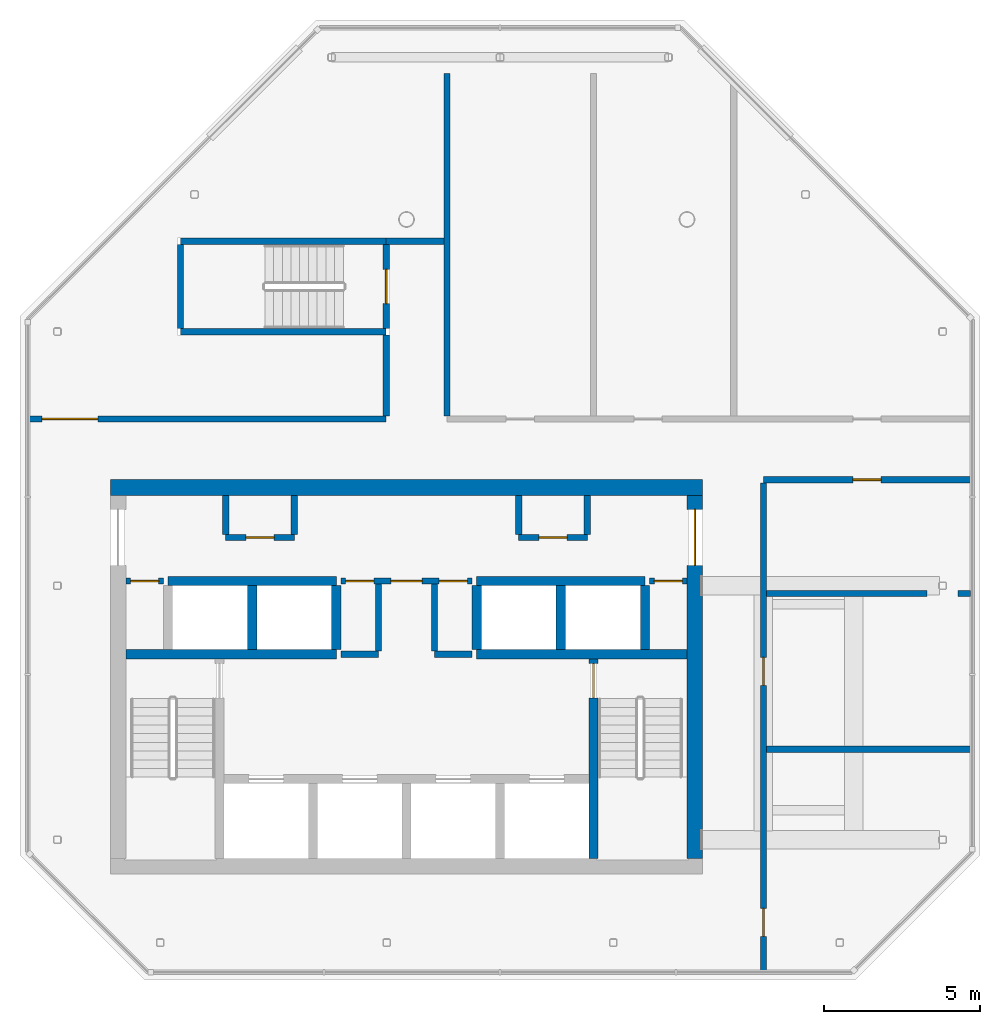
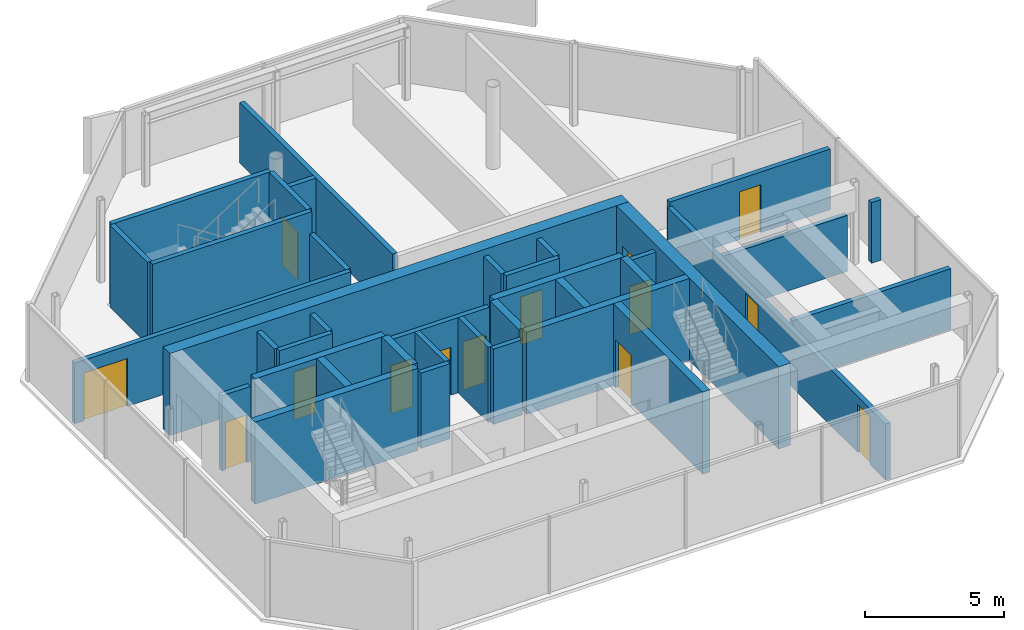
# One storey, part 5 of 7: 38 walls, 14 doors, 14 openings.
"""IFC4 building model written with IfcOpenShell, lengths in metres."""

import ifcopenshell
import ifcopenshell.guid

model = None  # the IFC model being written
_history = None  # IfcOwnerHistory: only IFC2X3 demands one
_inside = {}  # id of a spatial element -> (the spatial element, [elements in it])
_under = {}  # id of a project, library or spatial element -> (it, [spatial elements below it])
_declared = {}  # id of a project -> (the project, [libraries it declares])
_typed = {}  # id of a type object -> (the type object, [elements of that type])
_made_of = {}  # id of a material, layer set ... -> (it, [elements and type objects made of it])


def new_model(schema):
    """Start an empty IFC model of exactly this schema.

    Asked for "IFC4X3", IfcOpenShell would pick the latest addendum, in which some entities
    have other attributes; the version numbers below select the first issue.
    IFC2X3 requires an IfcOwnerHistory on every rooted entity: one is made here for all.
    """
    global model, _history
    if schema == "IFC4X3":
        model = ifcopenshell.file(schema_version=(4, 3, 0, 0))
    else:
        model = ifcopenshell.file(schema=schema)
    _inside.clear()
    _under.clear()
    _declared.clear()
    _typed.clear()
    _made_of.clear()
    _history = None
    if model.schema == "IFC2X3":
        org = make("IfcOrganization", Name="unknown")
        user = make(
            "IfcPersonAndOrganization",
            ThePerson=make("IfcPerson", FamilyName="unknown"),
            TheOrganization=org,
        )
        app = make(
            "IfcApplication",
            ApplicationDeveloper=org,
            Version="unknown",
            ApplicationFullName="unknown",
            ApplicationIdentifier="unknown",
        )
        _history = make(
            "IfcOwnerHistory",
            OwningUser=user,
            OwningApplication=app,
            ChangeAction="ADDED",
            CreationDate=0,
        )
    return model


def make(cls, **values):
    """One entity of the class cls with the attributes given. An attribute that is None is left unset."""
    return model.create_entity(
        cls, **{name: value for name, value in values.items() if value is not None}
    )


def rooted(cls, **values):
    """An entity with a GlobalId (a new one), such as an element, a storey or a relation."""
    return make(cls, GlobalId=ifcopenshell.guid.new(), OwnerHistory=_history, **values)


def si_unit(unit_type, name, prefix=None):
    """IfcSIUnit, for example si_unit("LENGTHUNIT", "METRE", prefix="MILLI")."""
    return make("IfcSIUnit", UnitType=unit_type, Prefix=prefix, Name=name)


def assignment(units):
    """IfcUnitAssignment: the units of a project."""
    return None if units is None else make("IfcUnitAssignment", Units=units)


def point(xyz):
    """IfcCartesianPoint."""
    return None if xyz is None else make("IfcCartesianPoint", Coordinates=xyz)


def direction(xyz):
    """IfcDirection."""
    return None if xyz is None else make("IfcDirection", DirectionRatios=xyz)


def frame(location, z_axis=None, x_axis=None):
    """IfcAxis2Placement3D, a coordinate frame: its origin and axes. An axis left out is left unset."""
    return make(
        "IfcAxis2Placement3D",
        Location=point(location),
        Axis=direction(z_axis),
        RefDirection=direction(x_axis),
    )


def frame_2d(location, x_axis=None):
    """IfcAxis2Placement2D, a coordinate frame in the plane: its origin and x axis."""
    return make(
        "IfcAxis2Placement2D", Location=point(location), RefDirection=direction(x_axis)
    )


def origin():
    """The frame at (0, 0, 0) with its axes left unset."""
    return frame((0.0, 0.0, 0.0))


def place(relative_to, where):
    """IfcLocalPlacement: puts the frame where relative to a parent placement (None: the world)."""
    return make(
        "IfcLocalPlacement", PlacementRelTo=relative_to, RelativePlacement=where
    )


def context(
    kind, dimensions, precision=None, world=None, true_north=None, identifier=None
):
    """IfcGeometricRepresentationContext, for example the 3D "Model" context."""
    return make(
        "IfcGeometricRepresentationContext",
        ContextIdentifier=identifier,
        ContextType=kind,
        CoordinateSpaceDimension=dimensions,
        Precision=precision,
        WorldCoordinateSystem=world,
        TrueNorth=true_north,
    )


def subcontext(parent, identifier, kind, view, scale=None):
    """IfcGeometricRepresentationSubContext, for example "Body" below "Model"."""
    return make(
        "IfcGeometricRepresentationSubContext",
        ContextIdentifier=identifier,
        ContextType=kind,
        ParentContext=parent,
        TargetScale=scale,
        TargetView=view,
    )


def project(units=None, contexts=None):
    """IfcProject with its units and contexts."""
    return rooted(
        "IfcProject",
        Name="project",
        RepresentationContexts=contexts,
        UnitsInContext=assignment(units),
    )


def spatial(cls, under=None, at=None, **own):
    """A site, building, storey or space (cls), placed at a placement, below another one or the project."""
    s = rooted(cls, ObjectPlacement=at, **own)
    if under is not None:
        _under.setdefault(under.id(), (under, []))[1].append(s)
    return s


def polyline(points):
    """IfcPolyline through the points."""
    return make("IfcPolyline", Points=[point(p) for p in points])


def profile(cls, at=None, kind="AREA", **sizes):
    """A parametric profile (cls). Its sizes go by their IFC names, for example OverallWidth=200.0."""
    return make(cls, ProfileType=kind, Position=at, **sizes)


def rectangle(**sizes):
    """IfcRectangleProfileDef."""
    return profile("IfcRectangleProfileDef", **sizes)


def outline(outer, holes=None, kind="AREA"):
    """IfcArbitraryClosedProfileDef: a profile drawn as a closed curve; with holes, ...WithVoids."""
    if holes is None:
        return make("IfcArbitraryClosedProfileDef", ProfileType=kind, OuterCurve=outer)
    return make(
        "IfcArbitraryProfileDefWithVoids",
        ProfileType=kind,
        OuterCurve=outer,
        InnerCurves=holes,
    )


def extrude(swept, where, along, depth):
    """IfcExtrudedAreaSolid: the profile swept, set in the frame where, extruded along a direction by depth."""
    return make(
        "IfcExtrudedAreaSolid",
        SweptArea=swept,
        Position=where,
        ExtrudedDirection=direction(along),
        Depth=depth,
    )


def shape(context_of_items, identifier, shape_type, items):
    """IfcShapeRepresentation: the items that make up one representation, for example the "Body"."""
    return make(
        "IfcShapeRepresentation",
        ContextOfItems=context_of_items,
        RepresentationIdentifier=identifier,
        RepresentationType=shape_type,
        Items=items,
    )


def material(Name=None, Category=None):
    """IfcMaterial."""
    return make("IfcMaterial", Name=Name, Category=Category)


def layer(
    of_material, thickness, ventilated=None, Name=None, Category=None, Priority=None
):
    """IfcMaterialLayer: one layer of a wall or slab, of a material (None: an air gap)."""
    return make(
        "IfcMaterialLayer",
        Material=of_material,
        LayerThickness=thickness,
        IsVentilated=ventilated,
        Name=Name,
        Category=Category,
        Priority=Priority,
    )


def layer_set(layers, Name=None):
    """IfcMaterialLayerSet."""
    return make("IfcMaterialLayerSet", MaterialLayers=layers, LayerSetName=Name)


def made_of(thing, what):
    """Note that an element or type object is made of a material, layer set ...; save() writes the relation."""
    if what is not None:
        _made_of.setdefault(what.id(), (what, []))[1].append(thing)
    return thing


def type_object(cls, material=None, **own):
    """A type object (cls), such as IfcWallType, which elements share."""
    return made_of(rooted(cls, **own), material)


def element(
    cls,
    number,
    at=None,
    inside=None,
    cuts=None,
    type_object=None,
    material=None,
    context=None,
    identifier="Body",
    shape_type=None,
    held_by="IfcProductDefinitionShape",
    body=None,
    shapes=None,
    **own,
):
    """One element of the class cls, such as IfcWall. Its Tag is "e" and its number.

    at: its placement. inside: the storey or other place that contains it. cuts: it is an
    opening in that element (IfcRelVoidsElement). A single representation is given by context,
    identifier, shape_type and body (its items); several are given by shapes. held_by: the class
    of the entity that holds the representations. save() writes the other relations.
    """
    e = rooted(cls, Tag="e%d" % number, ObjectPlacement=at, **own)
    if body is not None:
        shapes = [shape(context, identifier, shape_type, body)]
    if shapes is not None:
        e.Representation = make(held_by, Representations=shapes)
    if inside is not None:
        _inside.setdefault(inside.id(), (inside, []))[1].append(e)
    if cuts is not None:
        rooted(
            "IfcRelVoidsElement", RelatingBuildingElement=cuts, RelatedOpeningElement=e
        )
    if type_object is not None:
        _typed.setdefault(type_object.id(), (type_object, []))[1].append(e)
    return made_of(e, material)


def fill(opening, filler):
    """IfcRelFillsElement: the door or window that sits in an opening."""
    return rooted(
        "IfcRelFillsElement",
        RelatingOpeningElement=opening,
        RelatedBuildingElement=filler,
    )


def aggregate(whole, parts):
    """IfcRelAggregates: a whole, such as a stair, and the parts it consists of."""
    return rooted("IfcRelAggregates", RelatingObject=whole, RelatedObjects=parts)


def save(model, path):
    """Write the relations noted so far, then the file.

    IfcRelAggregates (storeys below a building ...), IfcRelContainedInSpatialStructure (elements
    in a storey), IfcRelDefinesByType, IfcRelAssociatesMaterial and IfcRelDeclares: one each for
    every whole, place, type object, material and project.
    """
    for whole, parts in _under.values():
        aggregate(whole, parts)
    for where, things in _inside.values():
        rooted(
            "IfcRelContainedInSpatialStructure",
            RelatedElements=things,
            RelatingStructure=where,
        )
    for kind, things in _typed.values():
        rooted("IfcRelDefinesByType", RelatedObjects=things, RelatingType=kind)
    for what, things in _made_of.values():
        rooted("IfcRelAssociatesMaterial", RelatedObjects=things, RelatingMaterial=what)
    for by, libraries in _declared.values():
        rooted("IfcRelDeclares", RelatingContext=by, RelatedDefinitions=libraries)
    model.write(path)


model = new_model("IFC4")

# Units and contexts
model_context = context("Model", 3, precision=1e-05, world=origin(), true_north=direction((0.0, 1.0)))
body_context = subcontext(model_context, "Body", "Model", "MODEL_VIEW")
ifc_project = project(units=[si_unit("LENGTHUNIT", "METRE"), si_unit("AREAUNIT", "SQUARE_METRE"), si_unit("VOLUMEUNIT", "CUBIC_METRE"), si_unit("PLANEANGLEUNIT", "RADIAN"), si_unit("MASSUNIT", "GRAM", prefix="KILO")], contexts=[model_context])

# Site, building, storey
site_placement = place(None, origin())
site = spatial("IfcSite", under=ifc_project, at=site_placement, CompositionType="ELEMENT")
building_placement = place(site_placement, origin())
building = spatial("IfcBuilding", under=site, at=building_placement, Name="Tskaro Facet Tower", CompositionType="ELEMENT")
storey_placement = place(building_placement, frame((0.0, 0.0, 297.300048828125)))
storey = spatial("IfcBuildingStorey", under=building, at=storey_placement, Name="L80", CompositionType="ELEMENT", Elevation=297.300048828125)

# Walls
ifc_material_1 = material(Name="Concrete C60/75", Category="concrete")
ifc_layer_1 = layer(ifc_material_1, 0.300048828125, Name="Concrete C60/75")
ifc_layer_set_1 = layer_set([ifc_layer_1], Name="Concrete C60/75")
wall_type_1 = type_object("IfcWallType", Name="CORE-SHAFT", PredefinedType="SHEAR", material=ifc_layer_set_1)
for number, where, z_axis, x_axis, name in (
    (1, (-9.0, -4.949951171875, 0.0), (0.0, 0.0, 1.0), (1.0, 0.0, 0.0), "Shaft wall W003"),
    (2, (2.25, -4.949951171875, 0.0), (0.0, 0.0, 1.0), (1.0, 0.0, 0.0), "Shaft wall W006"),
):
    element("IfcWall", number, at=place(storey_placement, frame(where, z_axis=z_axis, x_axis=x_axis)), inside=storey, type_object=wall_type_1, Name=name, PredefinedType="SHEAR", context=body_context, shape_type="SweptSolid", body=[
        extrude(rectangle(XDim=6.75, YDim=0.300048828125, at=frame_2d((3.375, 0.0))), origin(), (0.0, 0.0, 1.0), 3.599853515625),
    ])
for number, where, z_axis, x_axis, name in (
    (3, (-7.64990234375, -2.60009765625, 0.0), (0.0, 0.0, 1.0), (1.0, 0.0, 0.0), "Shaft wall W010"),
    (4, (2.25, -2.60009765625, 0.0), (0.0, 0.0, 1.0), (1.0, 0.0, 0.0), "Shaft wall W012"),
):
    element("IfcWall", number, at=place(storey_placement, frame(where, z_axis=z_axis, x_axis=x_axis)), inside=storey, type_object=wall_type_1, Name=name, PredefinedType="SHEAR", context=body_context, shape_type="SweptSolid", body=[
        extrude(rectangle(XDim=5.39990234375, YDim=0.300048828125, at=frame_2d((2.699951171875, 0.0))), origin(), (0.0, 0.0, 1.0), 3.599853515625),
    ])
for number, where, z_axis, x_axis, name in (
    (5, (-4.949951171875, -4.800048828125, 0.0), (0.0, 0.0, 1.0), (0.0, 1.0, 0.0), "Shaft wall W026"),
    (6, (-2.25, -4.800048828125, 0.0), (0.0, 0.0, 1.0), (0.0, 1.0, 0.0), "Shaft wall W029"),
    (7, (2.25, -4.800048828125, 0.0), (0.0, 0.0, 1.0), (0.0, 1.0, 0.0), "Shaft wall W036"),
    (8, (4.949951171875, -4.800048828125, 0.0), (0.0, 0.0, 1.0), (0.0, 1.0, 0.0), "Shaft wall W039"),
):
    element("IfcWall", number, at=place(storey_placement, frame(where, z_axis=z_axis, x_axis=x_axis)), inside=storey, type_object=wall_type_1, Name=name, PredefinedType="SHEAR", context=body_context, shape_type="SweptSolid", body=[
        extrude(rectangle(XDim=2.050048828125, YDim=0.300048828125, at=frame_2d((1.02490234375, 0.0))), origin(), (0.0, 0.0, 1.0), 3.599853515625),
    ])

# Wall, opening, door
wall_1_placement = place(storey_placement, frame((6.0, -5.10009765625, 0.0), z_axis=(0.0, 0.0, 1.0), x_axis=(0.0, -1.0, 0.0)))
wall_1 = element("IfcWall", 9, at=wall_1_placement, inside=storey, type_object=wall_type_1, Name="Shaft wall W041", PredefinedType="SHEAR", context=body_context, shape_type="SweptSolid", body=[
    extrude(rectangle(XDim=6.39990234375, YDim=0.300048828125, at=frame_2d((3.199951171875, 0.0))), origin(), (0.0, 0.0, 1.0), 3.599853515625),
])
opening_1_placement = place(wall_1_placement, frame((0.14990234375, 0.0, 0.0)))
opening_1 = element("IfcOpeningElement", 10, at=opening_1_placement, cuts=wall_1, Name="Opening ST-2-D1", PredefinedType="OPENING", context=body_context, shape_type="SweptSolid", body=[
    extrude(rectangle(XDim=1.10009765625, YDim=2.10009765625, at=frame_2d((0.550048828125, 1.050048828125))), frame((0.0, 0.159912109375, 0.0), z_axis=(0.0, -1.0, 0.0), x_axis=(1.0, 0.0, 0.0)), (0.0, 0.0, 1.0), 0.320068359375),
])
ifc_material_2 = material(Name="Steel", Category="steel")
door_type_1 = type_object("IfcDoorType", Name="D-STAIR", OperationType="NOTDEFINED", PredefinedType="DOOR", material=ifc_material_2)
door_1_placement = place(opening_1_placement, origin())
door_1 = element("IfcDoor", 11, at=door_1_placement, inside=storey, type_object=door_type_1, Name="Stair door 2", OperationType="SINGLE_SWING_RIGHT", OverallHeight=2.10009765625, OverallWidth=1.10009765625, PredefinedType="DOOR", context=body_context, shape_type="SweptSolid", body=[
    extrude(rectangle(XDim=1.10009765625, YDim=2.10009765625, at=frame_2d((0.550048828125, 1.050048828125))), frame((0.0, 0.02490234375, 0.0), z_axis=(0.0, -1.0, 0.0), x_axis=(1.0, 0.0, 0.0)), (0.0, 0.0, 1.0), 0.050048828125),
])
fill(opening_1, door_1)

# Walls
wall_2_placement = place(storey_placement, frame((7.64990234375, -4.800048828125, 0.0), z_axis=(0.0, 0.0, 1.0), x_axis=(0.0, 1.0, 0.0)))
element("IfcWall", 12, at=wall_2_placement, inside=storey, type_object=wall_type_1, Name="Shaft wall W043", PredefinedType="SHEAR", context=body_context, shape_type="SweptSolid", body=[
    extrude(rectangle(XDim=2.050048828125, YDim=0.300048828125, at=frame_2d((1.02490234375, 0.0))), origin(), (0.0, 0.0, 1.0), 3.599853515625),
])
ifc_material_3 = material(Name="Concrete C20/25", Category="concrete")
ifc_layer_2 = layer(ifc_material_3, 0.199951171875, Name="Concrete C20/25")
ifc_layer_set_2 = layer_set([ifc_layer_2], Name="Concrete C20/25")
wall_type_2 = type_object("IfcWallType", Name="CORE-WALL", PredefinedType="SOLIDWALL", material=ifc_layer_set_2)
for number, where, z_axis, x_axis, name in (
    (13, (-2.10009765625, -4.949951171875, 0.0), (0.0, 0.0, 1.0), (1.0, 0.0, 0.0), "Core room wall W004"),
    (14, (0.89990234375, -4.949951171875, 0.0), (0.0, 0.0, 1.0), (1.0, 0.0, 0.0), "Core room wall W005"),
):
    element("IfcWall", number, at=place(storey_placement, frame(where, z_axis=z_axis, x_axis=x_axis)), inside=storey, type_object=wall_type_2, Name=name, PredefinedType="SOLIDWALL", context=body_context, shape_type="SweptSolid", body=[
        extrude(rectangle(XDim=1.2001953125, YDim=0.199951171875, at=frame_2d((0.60009765625, 0.0))), origin(), (0.0, 0.0, 1.0), 3.300048828125),
    ])

# Wall, opening, door
wall_3_placement = place(storey_placement, frame((-7.800048828125, -2.60009765625, 0.0), z_axis=(0.0, 0.0, 1.0), x_axis=(-1.0, 0.0, 0.0)))
wall_3 = element("IfcWall", 15, at=wall_3_placement, inside=storey, type_object=wall_type_2, Name="Core room wall W009", PredefinedType="SOLIDWALL", context=body_context, shape_type="SweptSolid", body=[
    extrude(rectangle(XDim=1.199951171875, YDim=0.199951171875, at=frame_2d((0.60009765625, 0.0))), origin(), (0.0, 0.0, 1.0), 3.300048828125),
])
opening_2_placement = place(wall_3_placement, frame((0.14990234375, 0.0, 0.0)))
opening_2 = element("IfcOpeningElement", 16, at=opening_2_placement, cuts=wall_3, Name="Opening C80-D03", PredefinedType="OPENING", context=body_context, shape_type="SweptSolid", body=[
    extrude(rectangle(XDim=0.89990234375, YDim=2.10009765625, at=frame_2d((0.449951171875, 1.050048828125))), frame((0.0, 0.10986328125, 0.0), z_axis=(0.0, -1.0, 0.0), x_axis=(1.0, 0.0, 0.0)), (0.0, 0.0, 1.0), 0.219970703125),
])
ifc_material_4 = material(Name="Timber", Category="wood")
door_type_2 = type_object("IfcDoorType", Name="D-ROOM", OperationType="NOTDEFINED", PredefinedType="DOOR", material=ifc_material_4)
door_2_placement = place(opening_2_placement, origin())
door_2 = element("IfcDoor", 17, at=door_2_placement, inside=storey, type_object=door_type_2, Name="Door C80-D03", OperationType="SINGLE_SWING_RIGHT", OverallHeight=2.10009765625, OverallWidth=0.89990234375, PredefinedType="DOOR", context=body_context, shape_type="SweptSolid", body=[
    extrude(rectangle(XDim=0.89990234375, YDim=2.10009765625, at=frame_2d((0.449951171875, 1.050048828125))), frame((0.0, 0.02490234375, 0.0), z_axis=(0.0, -1.0, 0.0), x_axis=(1.0, 0.0, 0.0)), (0.0, 0.0, 1.0), 0.050048828125),
])
fill(opening_2, door_2)

# Wall, openings, doors
wall_4_placement = place(storey_placement, frame((2.10009765625, -2.60009765625, 0.0), z_axis=(0.0, 0.0, 1.0), x_axis=(-1.0, 0.0, 0.0)))
wall_4 = element("IfcWall", 18, at=wall_4_placement, inside=storey, type_object=wall_type_2, Name="Core room wall W011", PredefinedType="SOLIDWALL", context=body_context, shape_type="SweptSolid", body=[
    extrude(rectangle(XDim=4.2001953125, YDim=0.199951171875, at=frame_2d((2.10009765625, 0.0))), origin(), (0.0, 0.0, 1.0), 3.300048828125),
])
opening_3_placement = place(wall_4_placement, frame((1.60009765625, 0.0, 0.0)))
opening_3 = element("IfcOpeningElement", 19, at=opening_3_placement, cuts=wall_4, Name="Opening FL-D1", PredefinedType="OPENING", context=body_context, shape_type="SweptSolid", body=[
    extrude(rectangle(XDim=1.0, YDim=2.10009765625, at=frame_2d((0.5, 1.050048828125))), frame((0.0, 0.10986328125, 0.0), z_axis=(0.0, -1.0, 0.0), x_axis=(1.0, 0.0, 0.0)), (0.0, 0.0, 1.0), 0.219970703125),
])
opening_4_placement = place(wall_4_placement, frame((3.14990234375, 0.0, 0.0)))
opening_4 = element("IfcOpeningElement", 20, at=opening_4_placement, cuts=wall_4, Name="Opening C80-D04", PredefinedType="OPENING", context=body_context, shape_type="SweptSolid", body=[
    extrude(rectangle(XDim=0.89990234375, YDim=2.10009765625, at=frame_2d((0.449951171875, 1.050048828125))), frame((0.0, 0.10986328125, 0.0), z_axis=(0.0, -1.0, 0.0), x_axis=(1.0, 0.0, 0.0)), (0.0, 0.0, 1.0), 0.219970703125),
])
opening_5_placement = place(wall_4_placement, frame((0.14990234375, 0.0, 0.0)))
opening_5 = element("IfcOpeningElement", 21, at=opening_5_placement, cuts=wall_4, Name="Opening C80-D05", PredefinedType="OPENING", context=body_context, shape_type="SweptSolid", body=[
    extrude(rectangle(XDim=0.89990234375, YDim=2.10009765625, at=frame_2d((0.449951171875, 1.050048828125))), frame((0.0, 0.10986328125, 0.0), z_axis=(0.0, -1.0, 0.0), x_axis=(1.0, 0.0, 0.0)), (0.0, 0.0, 1.0), 0.219970703125),
])
door_type_3 = type_object("IfcDoorType", Name="D-LOBBY", OperationType="NOTDEFINED", PredefinedType="DOOR", material=ifc_material_2)
door_3_placement = place(opening_3_placement, origin())
door_3 = element("IfcDoor", 22, at=door_3_placement, inside=storey, type_object=door_type_3, Name="Lobby door FL", OperationType="SINGLE_SWING_RIGHT", OverallHeight=2.10009765625, OverallWidth=1.0, PredefinedType="DOOR", context=body_context, shape_type="SweptSolid", body=[
    extrude(rectangle(XDim=1.0, YDim=2.10009765625, at=frame_2d((0.5, 1.050048828125))), frame((0.0, 0.02490234375, 0.0), z_axis=(0.0, -1.0, 0.0), x_axis=(1.0, 0.0, 0.0)), (0.0, 0.0, 1.0), 0.050048828125),
])
fill(opening_3, door_3)
door_4_placement = place(opening_4_placement, origin())
door_4 = element("IfcDoor", 23, at=door_4_placement, inside=storey, type_object=door_type_2, Name="Door C80-D04", OperationType="SINGLE_SWING_RIGHT", OverallHeight=2.10009765625, OverallWidth=0.89990234375, PredefinedType="DOOR", context=body_context, shape_type="SweptSolid", body=[
    extrude(rectangle(XDim=0.89990234375, YDim=2.10009765625, at=frame_2d((0.449951171875, 1.050048828125))), frame((0.0, 0.02490234375, 0.0), z_axis=(0.0, -1.0, 0.0), x_axis=(1.0, 0.0, 0.0)), (0.0, 0.0, 1.0), 0.050048828125),
])
fill(opening_4, door_4)
door_5_placement = place(opening_5_placement, origin())
door_5 = element("IfcDoor", 24, at=door_5_placement, inside=storey, type_object=door_type_2, Name="Door C80-D05", OperationType="SINGLE_SWING_RIGHT", OverallHeight=2.10009765625, OverallWidth=0.89990234375, PredefinedType="DOOR", context=body_context, shape_type="SweptSolid", body=[
    extrude(rectangle(XDim=0.89990234375, YDim=2.10009765625, at=frame_2d((0.449951171875, 1.050048828125))), frame((0.0, 0.02490234375, 0.0), z_axis=(0.0, -1.0, 0.0), x_axis=(1.0, 0.0, 0.0)), (0.0, 0.0, 1.0), 0.050048828125),
])
fill(opening_5, door_5)

# Wall, opening, door
wall_5_placement = place(storey_placement, frame((9.0, -2.60009765625, 0.0), z_axis=(0.0, 0.0, 1.0), x_axis=(-1.0, 0.0, 0.0)))
wall_5 = element("IfcWall", 25, at=wall_5_placement, inside=storey, type_object=wall_type_2, Name="Core room wall W013", PredefinedType="SOLIDWALL", context=body_context, shape_type="SweptSolid", body=[
    extrude(rectangle(XDim=1.199951171875, YDim=0.199951171875, at=frame_2d((0.60009765625, 0.0))), origin(), (0.0, 0.0, 1.0), 3.300048828125),
])
opening_6_placement = place(wall_5_placement, frame((0.14990234375, 0.0, 0.0)))
opening_6 = element("IfcOpeningElement", 26, at=opening_6_placement, cuts=wall_5, Name="Opening C80-D06", PredefinedType="OPENING", context=body_context, shape_type="SweptSolid", body=[
    extrude(rectangle(XDim=0.89990234375, YDim=2.10009765625, at=frame_2d((0.449951171875, 1.050048828125))), frame((0.0, 0.10986328125, 0.0), z_axis=(0.0, -1.0, 0.0), x_axis=(1.0, 0.0, 0.0)), (0.0, 0.0, 1.0), 0.219970703125),
])
door_6_placement = place(opening_6_placement, origin())
door_6 = element("IfcDoor", 27, at=door_6_placement, inside=storey, type_object=door_type_2, Name="Door C80-D06", OperationType="SINGLE_SWING_RIGHT", OverallHeight=2.10009765625, OverallWidth=0.89990234375, PredefinedType="DOOR", context=body_context, shape_type="SweptSolid", body=[
    extrude(rectangle(XDim=0.89990234375, YDim=2.10009765625, at=frame_2d((0.449951171875, 1.050048828125))), frame((0.0, 0.02490234375, 0.0), z_axis=(0.0, -1.0, 0.0), x_axis=(1.0, 0.0, 0.0)), (0.0, 0.0, 1.0), 0.050048828125),
])
fill(opening_6, door_6)

wall_6_placement = place(storey_placement, frame((-5.800048828125, -1.199951171875, 0.0), z_axis=(0.0, 0.0, 1.0), x_axis=(1.0, 0.0, 0.0)))
wall_6 = element("IfcWall", 28, at=wall_6_placement, inside=storey, type_object=wall_type_2, Name="Core room wall W014", PredefinedType="SOLIDWALL", context=body_context, shape_type="SweptSolid", body=[
    extrude(rectangle(XDim=2.199951171875, YDim=0.199951171875, at=frame_2d((1.10009765625, 0.0))), origin(), (0.0, 0.0, 1.0), 3.300048828125),
])
opening_7_placement = place(wall_6_placement, frame((0.64990234375, 0.0, 0.0)))
opening_7 = element("IfcOpeningElement", 29, at=opening_7_placement, cuts=wall_6, Name="Opening C80-D08", PredefinedType="OPENING", context=body_context, shape_type="SweptSolid", body=[
    extrude(rectangle(XDim=0.89990234375, YDim=2.10009765625, at=frame_2d((0.449951171875, 1.050048828125))), frame((0.0, 0.10986328125, 0.0), z_axis=(0.0, -1.0, 0.0), x_axis=(1.0, 0.0, 0.0)), (0.0, 0.0, 1.0), 0.219970703125),
])
door_7_placement = place(opening_7_placement, origin())
door_7 = element("IfcDoor", 30, at=door_7_placement, inside=storey, type_object=door_type_2, Name="Door C80-D08", OperationType="SINGLE_SWING_LEFT", OverallHeight=2.10009765625, OverallWidth=0.89990234375, PredefinedType="DOOR", context=body_context, shape_type="SweptSolid", body=[
    extrude(rectangle(XDim=0.89990234375, YDim=2.10009765625, at=frame_2d((0.449951171875, 1.050048828125))), frame((0.0, 0.02490234375, 0.0), z_axis=(0.0, -1.0, 0.0), x_axis=(1.0, 0.0, 0.0)), (0.0, 0.0, 1.0), 0.050048828125),
])
fill(opening_7, door_7)

wall_7_placement = place(storey_placement, frame((3.60009765625, -1.199951171875, 0.0), z_axis=(0.0, 0.0, 1.0), x_axis=(1.0, 0.0, 0.0)))
wall_7 = element("IfcWall", 31, at=wall_7_placement, inside=storey, type_object=wall_type_2, Name="Core room wall W015", PredefinedType="SOLIDWALL", context=body_context, shape_type="SweptSolid", body=[
    extrude(rectangle(XDim=2.199951171875, YDim=0.199951171875, at=frame_2d((1.10009765625, 0.0))), origin(), (0.0, 0.0, 1.0), 3.300048828125),
])
opening_8_placement = place(wall_7_placement, frame((0.64990234375, 0.0, 0.0)))
opening_8 = element("IfcOpeningElement", 32, at=opening_8_placement, cuts=wall_7, Name="Opening C80-D09", PredefinedType="OPENING", context=body_context, shape_type="SweptSolid", body=[
    extrude(rectangle(XDim=0.89990234375, YDim=2.10009765625, at=frame_2d((0.449951171875, 1.050048828125))), frame((0.0, 0.10986328125, 0.0), z_axis=(0.0, -1.0, 0.0), x_axis=(1.0, 0.0, 0.0)), (0.0, 0.0, 1.0), 0.219970703125),
])
door_8_placement = place(opening_8_placement, origin())
door_8 = element("IfcDoor", 33, at=door_8_placement, inside=storey, type_object=door_type_2, Name="Door C80-D09", OperationType="SINGLE_SWING_LEFT", OverallHeight=2.10009765625, OverallWidth=0.89990234375, PredefinedType="DOOR", context=body_context, shape_type="SweptSolid", body=[
    extrude(rectangle(XDim=0.89990234375, YDim=2.10009765625, at=frame_2d((0.449951171875, 1.050048828125))), frame((0.0, 0.02490234375, 0.0), z_axis=(0.0, -1.0, 0.0), x_axis=(1.0, 0.0, 0.0)), (0.0, 0.0, 1.0), 0.050048828125),
])
fill(opening_8, door_8)

# Walls
for number, where, z_axis, x_axis, name in (
    (34, (-5.800048828125, -1.10009765625, 0.0), (0.0, 0.0, 1.0), (0.0, 1.0, 0.0), "Core room wall W025"),
    (35, (-3.60009765625, -1.10009765625, 0.0), (0.0, 0.0, 1.0), (0.0, 1.0, 0.0), "Core room wall W027"),
):
    element("IfcWall", number, at=place(storey_placement, frame(where, z_axis=z_axis, x_axis=x_axis)), inside=storey, type_object=wall_type_2, Name=name, PredefinedType="SOLIDWALL", context=body_context, shape_type="SweptSolid", body=[
        extrude(rectangle(XDim=1.25, YDim=0.199951171875, at=frame_2d((0.625, 0.0))), origin(), (0.0, 0.0, 1.0), 3.300048828125),
    ])
for number, where, z_axis, x_axis, name in (
    (36, (-0.89990234375, -4.85009765625, 0.0), (0.0, 0.0, 1.0), (0.0, 1.0, 0.0), "Core room wall W030"),
    (37, (0.89990234375, -4.85009765625, 0.0), (0.0, 0.0, 1.0), (0.0, 1.0, 0.0), "Core room wall W034"),
):
    element("IfcWall", number, at=place(storey_placement, frame(where, z_axis=z_axis, x_axis=x_axis)), inside=storey, type_object=wall_type_2, Name=name, PredefinedType="SOLIDWALL", context=body_context, shape_type="SweptSolid", body=[
        extrude(rectangle(XDim=2.150146484375, YDim=0.199951171875, at=frame_2d((1.0751953125, 0.0))), origin(), (0.0, 0.0, 1.0), 3.300048828125),
    ])
for number, where, z_axis, x_axis, name in (
    (38, (3.60009765625, -1.10009765625, 0.0), (0.0, 0.0, 1.0), (0.0, 1.0, 0.0), "Core room wall W038"),
    (39, (5.800048828125, -1.10009765625, 0.0), (0.0, 0.0, 1.0), (0.0, 1.0, 0.0), "Core room wall W040"),
):
    element("IfcWall", number, at=place(storey_placement, frame(where, z_axis=z_axis, x_axis=x_axis)), inside=storey, type_object=wall_type_2, Name=name, PredefinedType="SOLIDWALL", context=body_context, shape_type="SweptSolid", body=[
        extrude(rectangle(XDim=1.25, YDim=0.199951171875, at=frame_2d((0.625, 0.0))), origin(), (0.0, 0.0, 1.0), 3.300048828125),
    ])
ifc_material_5 = material(Name="Concrete C40/50", Category="concrete")
ifc_layer_3 = layer(ifc_material_5, 0.5, Name="Concrete C40/50")
ifc_layer_set_3 = layer_set([ifc_layer_3], Name="Concrete C40/50")
wall_type_3 = type_object("IfcWallType", Name="Core wall 500", PredefinedType="SHEAR", material=ifc_layer_set_3)
wall_8_placement = place(storey_placement, frame((-9.5, 0.39990234375, 0.0), z_axis=(0.0, 0.0, 1.0), x_axis=(1.0, 0.0, 0.0)))
element("IfcWall", 40, at=wall_8_placement, inside=storey, type_object=wall_type_3, Name="Core wall CW-Z3N", PredefinedType="SHEAR", context=body_context, shape_type="SweptSolid", body=[
    extrude(outline(polyline([(0.0, 0.0), (19.0, 0.0), (19.0, 3.599853515625), (0.0, 3.599853515625), (0.0, 0.0)])), frame((0.0, 0.25, 0.0), z_axis=(0.0, -1.0, 0.0), x_axis=(1.0, 0.0, 0.0)), (0.0, 0.0, 1.0), 0.5),
])

# Wall, opening, door
wall_9_placement = place(storey_placement, frame((9.25, -11.5, 0.0), z_axis=(0.0, 0.0, 1.0), x_axis=(0.0, 1.0, 0.0)))
wall_9 = element("IfcWall", 41, at=wall_9_placement, inside=storey, type_object=wall_type_3, Name="Core wall CW-Z3E", PredefinedType="SHEAR", context=body_context, shape_type="SweptSolid", body=[
    extrude(outline(polyline([(0.0, 0.0), (11.64990234375, 0.0), (11.64990234375, 3.599853515625), (0.0, 3.599853515625), (0.0, 0.0)])), frame((0.0, 0.25, 0.0), z_axis=(0.0, -1.0, 0.0), x_axis=(1.0, 0.0, 0.0)), (0.0, 0.0, 1.0), 0.5),
])
opening_9_placement = place(wall_9_placement, frame((9.39990234375, 0.0, 0.0)))
opening_9 = element("IfcOpeningElement", 42, at=opening_9_placement, cuts=wall_9, Name="Opening C80-D10", PredefinedType="OPENING", context=body_context, shape_type="SweptSolid", body=[
    extrude(rectangle(XDim=1.800048828125, YDim=2.10009765625, at=frame_2d((0.89990234375, 1.050048828125))), frame((0.0, 0.260009765625, 0.0), z_axis=(0.0, -1.0, 0.0), x_axis=(1.0, 0.0, 0.0)), (0.0, 0.0, 1.0), 0.52001953125),
])
door_type_4 = type_object("IfcDoorType", Name="D-CORE-PAIR", OperationType="NOTDEFINED", PredefinedType="DOOR", material=ifc_material_2)
door_9_placement = place(opening_9_placement, origin())
door_9 = element("IfcDoor", 43, at=door_9_placement, inside=storey, type_object=door_type_4, Name="Door C80-D10", OperationType="DOUBLE_DOOR_SINGLE_SWING", OverallHeight=2.10009765625, OverallWidth=1.800048828125, PredefinedType="DOOR", context=body_context, shape_type="SweptSolid", body=[
    extrude(rectangle(XDim=1.800048828125, YDim=2.10009765625, at=frame_2d((0.89990234375, 1.050048828125))), frame((0.0, 0.02490234375, 0.0), z_axis=(0.0, -1.0, 0.0), x_axis=(1.0, 0.0, 0.0)), (0.0, 0.0, 1.0), 0.050048828125),
])
fill(opening_9, door_9)

# Walls
ifc_layer_4 = layer(ifc_material_1, 0.199951171875, Name="Concrete C60/75")
ifc_layer_set_4 = layer_set([ifc_layer_4], Name="Concrete C60/75")
wall_type_4 = type_object("IfcWallType", Name="STAIR-WALL", PredefinedType="SHEAR", material=ifc_layer_set_4)
for number, where, z_axis, x_axis, name in (
    (44, (-7.25, 5.39990234375, 0.0), (0.0, 0.0, 1.0), (1.0, 0.0, 0.0), "Stair wall W019"),
    (45, (-7.25, 8.300048828125, 0.0), (0.0, 0.0, 1.0), (1.0, 0.0, 0.0), "Stair wall W020"),
):
    element("IfcWall", number, at=place(storey_placement, frame(where, z_axis=z_axis, x_axis=x_axis)), inside=storey, type_object=wall_type_4, Name=name, PredefinedType="SHEAR", context=body_context, shape_type="SweptSolid", body=[
        extrude(rectangle(XDim=6.60009765625, YDim=0.199951171875, at=frame_2d((3.300048828125, 0.0))), origin(), (0.0, 0.0, 1.0), 3.599853515625),
    ])
wall_10_placement = place(storey_placement, frame((-7.25, 5.5, 0.0), z_axis=(0.0, 0.0, 1.0), x_axis=(0.0, 1.0, 0.0)))
element("IfcWall", 46, at=wall_10_placement, inside=storey, type_object=wall_type_4, Name="Stair wall W023", PredefinedType="SHEAR", context=body_context, shape_type="SweptSolid", body=[
    extrude(rectangle(XDim=2.699951171875, YDim=0.199951171875, at=frame_2d((1.35009765625, 0.0))), origin(), (0.0, 0.0, 1.0), 3.599853515625),
])

# Wall, opening, door
wall_11_placement = place(storey_placement, frame((-0.64990234375, 5.5, 0.0), z_axis=(0.0, 0.0, 1.0), x_axis=(0.0, 1.0, 0.0)))
wall_11 = element("IfcWall", 47, at=wall_11_placement, inside=storey, type_object=wall_type_4, Name="Stair wall W032", PredefinedType="SHEAR", context=body_context, shape_type="SweptSolid", body=[
    extrude(rectangle(XDim=2.699951171875, YDim=0.199951171875, at=frame_2d((1.35009765625, 0.0))), origin(), (0.0, 0.0, 1.0), 3.599853515625),
])
opening_10_placement = place(wall_11_placement, frame((0.800048828125, 0.0, 0.0)))
opening_10 = element("IfcOpeningElement", 48, at=opening_10_placement, cuts=wall_11, Name="Opening ST-3-D1", PredefinedType="OPENING", context=body_context, shape_type="SweptSolid", body=[
    extrude(rectangle(XDim=1.10009765625, YDim=2.10009765625, at=frame_2d((0.550048828125, 1.050048828125))), frame((0.0, 0.10986328125, 0.0), z_axis=(0.0, -1.0, 0.0), x_axis=(1.0, 0.0, 0.0)), (0.0, 0.0, 1.0), 0.219970703125),
])
door_10_placement = place(opening_10_placement, origin())
door_10 = element("IfcDoor", 49, at=door_10_placement, inside=storey, type_object=door_type_1, Name="Stair door 3", OperationType="SINGLE_SWING_LEFT", OverallHeight=2.10009765625, OverallWidth=1.10009765625, PredefinedType="DOOR", context=body_context, shape_type="SweptSolid", body=[
    extrude(rectangle(XDim=1.10009765625, YDim=2.10009765625, at=frame_2d((0.550048828125, 1.050048828125))), frame((0.0, 0.02490234375, 0.0), z_axis=(0.0, -1.0, 0.0), x_axis=(1.0, 0.0, 0.0)), (0.0, 0.0, 1.0), 0.050048828125),
])
fill(opening_10, door_10)

# Walls
ifc_layer_5 = layer(ifc_material_3, 0.199951171875, Name="Concrete C20/25")
ifc_layer_set_5 = layer_set([ifc_layer_5], Name="Concrete C20/25")
wall_type_5 = type_object("IfcWallType", Name="WALL-RISER", PredefinedType="SOLIDWALL", material=ifc_layer_set_5)
wall_12_placement = place(storey_placement, frame((11.550048828125, -8.0, 0.0), z_axis=(0.0, 0.0, 1.0), x_axis=(1.0, 0.0, 0.0)))
element("IfcWall", 50, at=wall_12_placement, inside=storey, type_object=wall_type_5, Name="Riser room wall W002", PredefinedType="SOLIDWALL", context=body_context, shape_type="SweptSolid", body=[
    extrude(rectangle(XDim=6.550048828125, YDim=0.199951171875, at=frame_2d((3.27490234375, 0.0))), origin(), (0.0, 0.0, 1.0), 2.659912109375),
])
wall_13_placement = place(storey_placement, frame((11.550048828125, -3.0, 0.0), z_axis=(0.0, 0.0, 1.0), x_axis=(1.0, 0.0, 0.0)))
element("IfcWall", 51, at=wall_13_placement, inside=storey, type_object=wall_type_5, Name="Riser room wall W007", PredefinedType="SOLIDWALL", context=body_context, shape_type="SweptSolid", body=[
    extrude(rectangle(XDim=5.14990234375, YDim=0.199951171875, at=frame_2d((2.574951171875, 0.0))), origin(), (0.0, 0.0, 1.0), 2.4599609375),
])
wall_14_placement = place(storey_placement, frame((17.699951171875, -3.0, 0.0), z_axis=(0.0, 0.0, 1.0), x_axis=(1.0, 0.0, 0.0)))
element("IfcWall", 52, at=wall_14_placement, inside=storey, type_object=wall_type_5, Name="Riser room wall W008", PredefinedType="SOLIDWALL", context=body_context, shape_type="SweptSolid", body=[
    extrude(rectangle(XDim=0.400146484375, YDim=0.199951171875, at=frame_2d((0.2001953125, 0.0))), origin(), (0.0, 0.0, 1.0), 2.659912109375),
])

# Wall, opening, door
wall_15_placement = place(storey_placement, frame((18.10009765625, 0.64990234375, 0.0), z_axis=(0.0, 0.0, 1.0), x_axis=(-1.0, 0.0, 0.0)))
wall_15 = element("IfcWall", 53, at=wall_15_placement, inside=storey, type_object=wall_type_5, Name="Riser room wall W016", PredefinedType="SOLIDWALL", context=body_context, shape_type="SweptSolid", body=[
    extrude(rectangle(XDim=6.650146484375, YDim=0.199951171875, at=frame_2d((3.3251953125, 0.0))), origin(), (0.0, 0.0, 1.0), 2.659912109375),
])
opening_11_placement = place(wall_15_placement, frame((2.875, 0.0, 0.0)))
opening_11 = element("IfcOpeningElement", 54, at=opening_11_placement, cuts=wall_15, Name="Opening C80-D11", PredefinedType="OPENING", context=body_context, shape_type="SweptSolid", body=[
    extrude(rectangle(XDim=0.89990234375, YDim=2.10009765625, at=frame_2d((0.449951171875, 1.050048828125))), frame((0.0, 0.10986328125, 0.0), z_axis=(0.0, -1.0, 0.0), x_axis=(1.0, 0.0, 0.0)), (0.0, 0.0, 1.0), 0.219970703125),
])
door_type_5 = type_object("IfcDoorType", Name="D-RISER", OperationType="NOTDEFINED", PredefinedType="DOOR", material=ifc_material_2)
door_11_placement = place(opening_11_placement, origin())
door_11 = element("IfcDoor", 55, at=door_11_placement, inside=storey, type_object=door_type_5, Name="Door C80-D11", OperationType="SINGLE_SWING_RIGHT", OverallHeight=2.10009765625, OverallWidth=0.89990234375, PredefinedType="DOOR", context=body_context, shape_type="SweptSolid", body=[
    extrude(rectangle(XDim=0.89990234375, YDim=2.10009765625, at=frame_2d((0.449951171875, 1.050048828125))), frame((0.0, 0.02490234375, 0.0), z_axis=(0.0, -1.0, 0.0), x_axis=(1.0, 0.0, 0.0)), (0.0, 0.0, 1.0), 0.050048828125),
])
fill(opening_11, door_11)

wall_16_placement = place(storey_placement, frame((-12.10009765625, 2.60009765625, 0.0), z_axis=(0.0, 0.0, 1.0), x_axis=(1.0, 0.0, 0.0)))
wall_16 = element("IfcWall", 56, at=wall_16_placement, inside=storey, type_object=wall_type_5, Name="Riser room wall W017", PredefinedType="SOLIDWALL", context=body_context, shape_type="SweptSolid", body=[
    extrude(rectangle(XDim=11.4501953125, YDim=0.199951171875, at=frame_2d((5.72509765625, 0.0))), origin(), (0.0, 0.0, 1.0), 2.659912109375),
])
opening_12_placement = place(wall_16_placement, frame((0.39990234375, 0.0, 0.0)))
opening_12 = element("IfcOpeningElement", 57, at=opening_12_placement, cuts=wall_16, Name="Opening C80-D12", PredefinedType="OPENING", context=body_context, shape_type="SweptSolid", body=[
    extrude(rectangle(XDim=1.800048828125, YDim=2.10009765625, at=frame_2d((0.89990234375, 1.050048828125))), frame((0.0, 0.10986328125, 0.0), z_axis=(0.0, -1.0, 0.0), x_axis=(1.0, 0.0, 0.0)), (0.0, 0.0, 1.0), 0.219970703125),
])
door_12_placement = place(opening_12_placement, origin())
door_12 = element("IfcDoor", 58, at=door_12_placement, inside=storey, type_object=door_type_4, Name="Door C80-D12", OperationType="DOUBLE_DOOR_SINGLE_SWING", OverallHeight=2.10009765625, OverallWidth=1.800048828125, PredefinedType="DOOR", context=body_context, shape_type="SweptSolid", body=[
    extrude(rectangle(XDim=1.800048828125, YDim=2.10009765625, at=frame_2d((0.89990234375, 1.050048828125))), frame((0.0, 0.02490234375, 0.0), z_axis=(0.0, -1.0, 0.0), x_axis=(1.0, 0.0, 0.0)), (0.0, 0.0, 1.0), 0.050048828125),
])
fill(opening_12, door_12)

# Walls
wall_17_placement = place(storey_placement, frame((-0.64990234375, 8.300048828125, 0.0), z_axis=(0.0, 0.0, 1.0), x_axis=(1.0, 0.0, 0.0)))
element("IfcWall", 59, at=wall_17_placement, inside=storey, type_object=wall_type_5, Name="Riser room wall W021", PredefinedType="SOLIDWALL", context=body_context, shape_type="SweptSolid", body=[
    extrude(rectangle(XDim=1.849853515625, YDim=0.199951171875, at=frame_2d((0.9248046875, 0.0))), origin(), (0.0, 0.0, 1.0), 2.659912109375),
])
wall_18_placement = place(storey_placement, frame((-0.64990234375, 2.699951171875, 0.0), z_axis=(0.0, 0.0, 1.0), x_axis=(0.0, 1.0, 0.0)))
element("IfcWall", 60, at=wall_18_placement, inside=storey, type_object=wall_type_5, Name="Riser room wall W031", PredefinedType="SOLIDWALL", context=body_context, shape_type="SweptSolid", body=[
    extrude(rectangle(XDim=2.60009765625, YDim=0.199951171875, at=frame_2d((1.300048828125, 0.0))), origin(), (0.0, 0.0, 1.0), 2.659912109375),
])
wall_19_placement = place(storey_placement, frame((1.300048828125, 2.699951171875, 0.0), z_axis=(0.0, 0.0, 1.0), x_axis=(0.0, 1.0, 0.0)))
element("IfcWall", 61, at=wall_19_placement, inside=storey, type_object=wall_type_5, Name="Riser room wall W035", PredefinedType="SOLIDWALL", context=body_context, shape_type="SweptSolid", body=[
    extrude(rectangle(XDim=10.97998046875, YDim=0.199951171875, at=frame_2d((5.489990234375, 0.0))), origin(), (0.0, 0.0, 1.0), 2.659912109375),
])

# Wall, openings, doors
wall_20_placement = place(storey_placement, frame((11.449951171875, 0.550048828125, 0.0), z_axis=(0.0, 0.0, 1.0), x_axis=(0.0, -1.0, 0.0)))
wall_20 = element("IfcWall", 62, at=wall_20_placement, inside=storey, type_object=wall_type_5, Name="Riser room wall W045", PredefinedType="SOLIDWALL", context=body_context, shape_type="SweptSolid", body=[
    extrude(rectangle(XDim=15.650146484375, YDim=0.199951171875, at=frame_2d((7.8251953125, 0.0))), origin(), (0.0, 0.0, 1.0), 2.4599609375),
])
opening_13_placement = place(wall_20_placement, frame((13.64990234375, 0.0, 0.0)))
opening_13 = element("IfcOpeningElement", 63, at=opening_13_placement, cuts=wall_20, Name="Opening C80-D01", PredefinedType="OPENING", context=body_context, shape_type="SweptSolid", body=[
    extrude(rectangle(XDim=0.89990234375, YDim=2.10009765625, at=frame_2d((0.449951171875, 1.050048828125))), frame((0.0, 0.10986328125, 0.0), z_axis=(0.0, -1.0, 0.0), x_axis=(1.0, 0.0, 0.0)), (0.0, 0.0, 1.0), 0.219970703125),
])
opening_14_placement = place(wall_20_placement, frame((5.60009765625, 0.0, 0.0)))
opening_14 = element("IfcOpeningElement", 64, at=opening_14_placement, cuts=wall_20, Name="Opening C80-D02", PredefinedType="OPENING", context=body_context, shape_type="SweptSolid", body=[
    extrude(rectangle(XDim=0.89990234375, YDim=2.10009765625, at=frame_2d((0.449951171875, 1.050048828125))), frame((0.0, 0.10986328125, 0.0), z_axis=(0.0, -1.0, 0.0), x_axis=(1.0, 0.0, 0.0)), (0.0, 0.0, 1.0), 0.219970703125),
])
door_13_placement = place(opening_13_placement, origin())
door_13 = element("IfcDoor", 65, at=door_13_placement, inside=storey, type_object=door_type_5, Name="Door C80-D01", OperationType="SINGLE_SWING_RIGHT", OverallHeight=2.10009765625, OverallWidth=0.89990234375, PredefinedType="DOOR", context=body_context, shape_type="SweptSolid", body=[
    extrude(rectangle(XDim=0.89990234375, YDim=2.10009765625, at=frame_2d((0.449951171875, 1.050048828125))), frame((0.0, 0.02490234375, 0.0), z_axis=(0.0, -1.0, 0.0), x_axis=(1.0, 0.0, 0.0)), (0.0, 0.0, 1.0), 0.050048828125),
])
fill(opening_13, door_13)
door_14_placement = place(opening_14_placement, origin())
door_14 = element("IfcDoor", 66, at=door_14_placement, inside=storey, type_object=door_type_5, Name="Door C80-D02", OperationType="SINGLE_SWING_RIGHT", OverallHeight=2.10009765625, OverallWidth=0.89990234375, PredefinedType="DOOR", context=body_context, shape_type="SweptSolid", body=[
    extrude(rectangle(XDim=0.89990234375, YDim=2.10009765625, at=frame_2d((0.449951171875, 1.050048828125))), frame((0.0, 0.02490234375, 0.0), z_axis=(0.0, -1.0, 0.0), x_axis=(1.0, 0.0, 0.0)), (0.0, 0.0, 1.0), 0.050048828125),
])
fill(opening_14, door_14)

save(model, "model.ifc")
